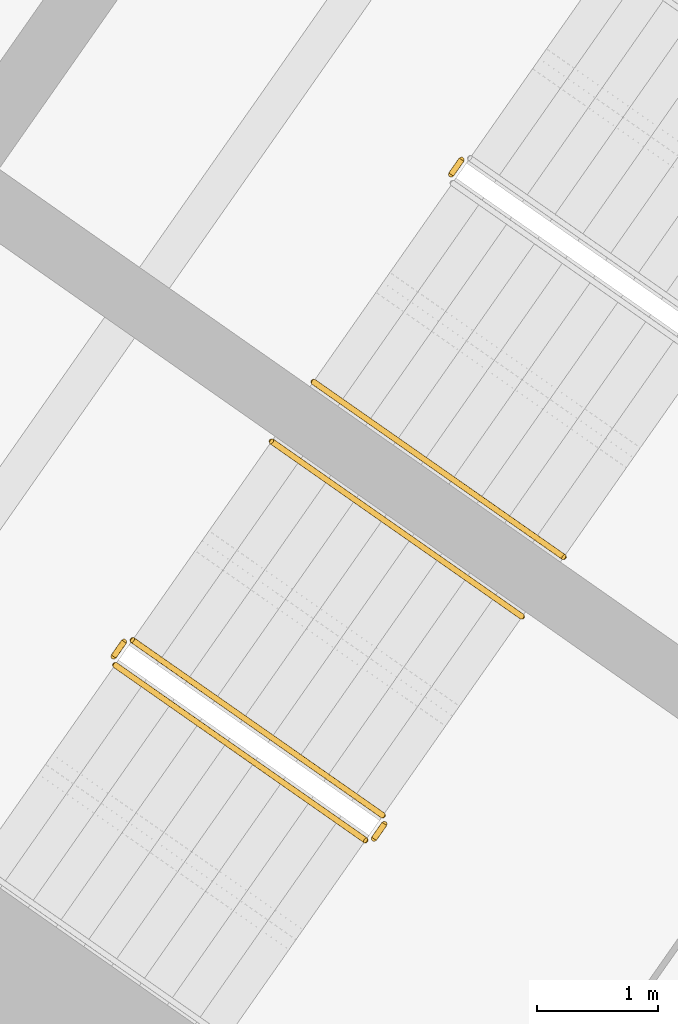
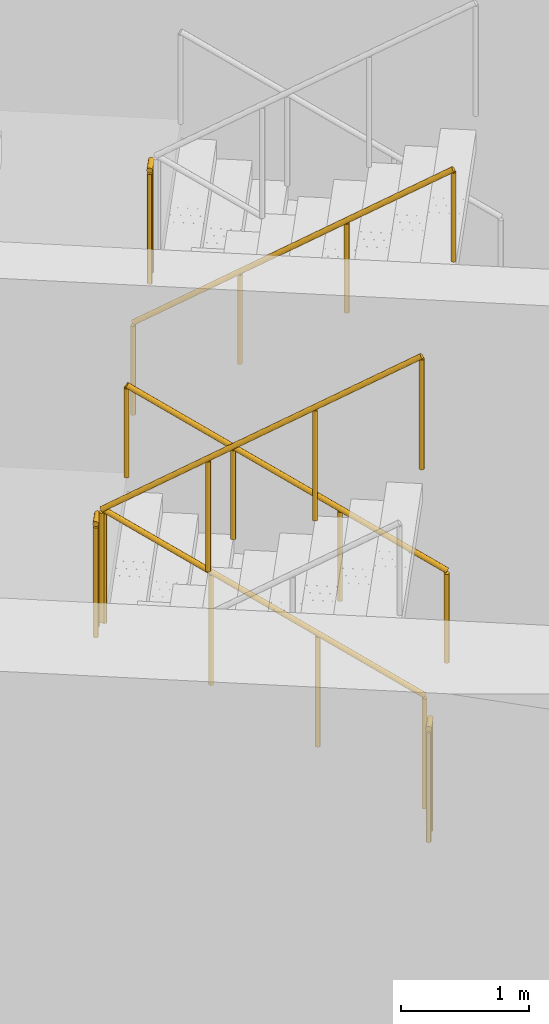
# One storey, part 22 of 25: 7 railings.
"""IFC4 building model written with IfcOpenShell, lengths in metres."""

from ifc_helpers import new_model, si_unit, direction, frame, origin, origin_2d, place, context, subcontext, project, spatial, circle, extrude, material, type_object, element, save


model = new_model("IFC4")

# Units and contexts
model_context = context("Model", 3, precision=1e-05, world=origin(), true_north=direction((0.0, 1.0)))
body_context = subcontext(model_context, "Body", "Model", "MODEL_VIEW")
ifc_project = project(units=[si_unit("LENGTHUNIT", "METRE"), si_unit("AREAUNIT", "SQUARE_METRE"), si_unit("VOLUMEUNIT", "CUBIC_METRE"), si_unit("PLANEANGLEUNIT", "RADIAN"), si_unit("MASSUNIT", "GRAM", prefix="KILO")], contexts=[model_context])

# Site, building, storey
site_placement = place(None, origin())
site = spatial("IfcSite", under=ifc_project, at=site_placement, CompositionType="ELEMENT")
building_placement = place(site_placement, origin())
building = spatial("IfcBuilding", under=site, at=building_placement, Name="Tel Ilan Convention Tower", CompositionType="ELEMENT")
storey_placement = place(building_placement, frame((0.0, 0.0, 97.699951171875)))
storey = spatial("IfcBuildingStorey", under=building, at=storey_placement, Name="L20", CompositionType="ELEMENT", Elevation=97.699951171875)

# Railings
ifc_material_1 = material(Name="Stainless Steel Grade 316", Category="steel")
railing_type_1 = type_object("IfcRailingType", Name="Stainless Steel Stair Guard 1100 mm", PredefinedType="GUARDRAIL", material=ifc_material_1)
railing_1_placement = place(storey_placement, frame((21.544921875, -6.41845703125, 1.800048828125)))
element("IfcRailing", 1, at=railing_1_placement, inside=storey, type_object=railing_type_1, Name="L20 S3 stair guard 2", PredefinedType="GUARDRAIL", context=body_context, shape_type="SweptSolid", body=[
    extrude(circle(Radius=0.02392578125, at=origin_2d()), frame((0.0, 0.0, 1.076171875), z_axis=(-0.573353020881, -0.819308436089, 0.0), x_axis=(0.819308436089, -0.573353020881, 0.0)), (0.0, 0.0, 1.0), 0.14990234375),
    extrude(circle(Radius=0.02099609375, at=origin_2d()), origin(), (0.0, 0.0, 1.0), 1.052001953125),
    extrude(circle(Radius=0.02099609375, at=origin_2d()), frame((-0.0859375, -0.122802734375, 0.0)), (0.0, 0.0, 1.0), 1.052001953125),
])
railing_2_placement = place(storey_placement, frame((20.89697265625, -11.824462890625, 0.179931640625)))
element("IfcRailing", 2, at=railing_2_placement, inside=storey, type_object=railing_type_1, Name="L20 S4 stair guard 1", PredefinedType="GUARDRAIL", context=body_context, shape_type="SweptSolid", body=[
    extrude(circle(Radius=0.02392578125, at=origin_2d()), frame((0.0, 0.0, 1.076171875), z_axis=(-0.689013013563, 0.482512838948, 0.540779462804), x_axis=(-0.573624882958, -0.819118119475, 0.0)), (0.0, 0.0, 1.0), 2.995849609375),
    extrude(circle(Radius=0.02099609375, at=origin_2d()), origin(), (0.0, 0.0, 1.0), 1.052001953125),
    extrude(circle(Radius=0.02099609375, at=origin_2d()), frame((-0.68798828125, 0.48193359375, 0.5400390625)), (0.0, 0.0, 1.0), 1.052001953125),
    extrude(circle(Radius=0.02099609375, at=origin_2d()), frame((-1.376220703125, 0.963623046875, 1.080078125)), (0.0, 0.0, 1.0), 1.052001953125),
    extrude(circle(Radius=0.02099609375, at=origin_2d()), frame((-2.064208984375, 1.445556640625, 1.6201171875)), (0.0, 0.0, 1.0), 1.052001953125),
])
railing_3_placement = place(storey_placement, frame((18.762939453125, -10.391357421875, 1.800048828125)))
element("IfcRailing", 3, at=railing_3_placement, inside=storey, type_object=railing_type_1, Name="L20 S4 stair guard 2", PredefinedType="GUARDRAIL", context=body_context, shape_type="SweptSolid", body=[
    extrude(circle(Radius=0.02392578125, at=origin_2d()), frame((0.0, 0.0, 1.076171875), z_axis=(-0.573353020881, -0.819308436089, 0.0), x_axis=(0.819308436089, -0.573353020881, 0.0)), (0.0, 0.0, 1.0), 0.14990234375),
    extrude(circle(Radius=0.02099609375, at=origin_2d()), origin(), (0.0, 0.0, 1.0), 1.052001953125),
    extrude(circle(Radius=0.02099609375, at=origin_2d()), frame((-0.0859375, -0.122802734375, 0.0)), (0.0, 0.0, 1.0), 1.052001953125),
])
railing_4_placement = place(storey_placement, frame((18.689208984375, -10.583740234375, 1.97998046875)))
element("IfcRailing", 4, at=railing_4_placement, inside=storey, type_object=railing_type_1, Name="L20 S4 stair guard 3", PredefinedType="GUARDRAIL", context=body_context, shape_type="SweptSolid", body=[
    extrude(circle(Radius=0.02392578125, at=origin_2d()), frame((0.0, 0.0, 1.076171875), z_axis=(0.689055814419, -0.482485747064, 0.540749099395), x_axis=(0.573579365141, 0.81914999352, 0.0)), (0.0, 0.0, 1.0), 2.99609375),
    extrude(circle(Radius=0.02099609375, at=origin_2d()), origin(), (0.0, 0.0, 1.0), 1.052001953125),
    extrude(circle(Radius=0.02099609375, at=origin_2d()), frame((0.688232421875, -0.48193359375, 0.5400390625)), (0.0, 0.0, 1.0), 1.052001953125),
    extrude(circle(Radius=0.02099609375, at=origin_2d()), frame((1.376220703125, -0.963623046875, 1.080078125)), (0.0, 0.0, 1.0), 1.052001953125),
    extrude(circle(Radius=0.02099609375, at=origin_2d()), frame((2.064453125, -1.445556640625, 1.6201171875)), (0.0, 0.0, 1.0), 1.052001953125),
])
railing_5_placement = place(storey_placement, frame((20.9091796875, -11.89404296875, 0.0)))
element("IfcRailing", 5, at=railing_5_placement, inside=storey, type_object=railing_type_1, Name="L20 S4 stair guard 4", PredefinedType="GUARDRAIL", context=body_context, shape_type="SweptSolid", body=[
    extrude(circle(Radius=0.02392578125, at=origin_2d()), frame((0.0, 0.0, 1.076171875), z_axis=(-0.573353020881, -0.819308436089, 0.0), x_axis=(0.819308436089, -0.573353020881, 0.0)), (0.0, 0.0, 1.0), 0.14990234375),
    extrude(circle(Radius=0.02099609375, at=origin_2d()), origin(), (0.0, 0.0, 1.0), 1.052001953125),
    extrude(circle(Radius=0.02099609375, at=origin_2d()), frame((-0.0859375, -0.122802734375, 0.0)), (0.0, 0.0, 1.0), 1.052001953125),
])
ifc_material_2 = material(Name="Stainless Steel Grade 316", Category="steel")
railing_type_2 = type_object("IfcRailingType", Name="Stainless Steel Stair Handrail 900 mm", PredefinedType="HANDRAIL", material=ifc_material_2)
railing_6_placement = place(storey_placement, frame((20.323974609375, -8.249267578125, 1.97998046875)))
element("IfcRailing", 6, at=railing_6_placement, inside=storey, type_object=railing_type_2, Name="L20 S3 stair handrail 2", PredefinedType="HANDRAIL", context=body_context, shape_type="SweptSolid", body=[
    extrude(circle(Radius=0.02392578125, at=origin_2d()), frame((0.0, 0.0, 0.8759765625), z_axis=(0.689040105437, -0.482450316285, 0.54080072616), x_axis=(0.573559875649, 0.819163639968, 0.0)), (0.0, 0.0, 1.0), 2.995849609375),
    extrude(circle(Radius=0.02099609375, at=origin_2d()), origin(), (0.0, 0.0, 1.0), 0.851806640625),
    extrude(circle(Radius=0.02099609375, at=origin_2d()), frame((0.68798828125, -0.481689453125, 0.5400390625)), (0.0, 0.0, 1.0), 0.851806640625),
    extrude(circle(Radius=0.02099609375, at=origin_2d()), frame((1.376220703125, -0.963623046875, 1.080078125)), (0.0, 0.0, 1.0), 0.851806640625),
    extrude(circle(Radius=0.02099609375, at=origin_2d()), frame((2.064208984375, -1.4453125, 1.6201171875)), (0.0, 0.0, 1.0), 0.851806640625),
])
railing_7_placement = place(storey_placement, frame((22.044189453125, -10.18603515625, 0.179931640625)))
element("IfcRailing", 7, at=railing_7_placement, inside=storey, type_object=railing_type_2, Name="L20 S4 stair handrail 1", PredefinedType="HANDRAIL", context=body_context, shape_type="SweptSolid", body=[
    extrude(circle(Radius=0.02392578125, at=origin_2d()), frame((0.0, 0.0, 0.8759765625), z_axis=(-0.689082904933, 0.482423225781, 0.540770359169), x_axis=(-0.573514357932, -0.81919550856, 0.0)), (0.0, 0.0, 1.0), 2.995849609375),
    extrude(circle(Radius=0.02099609375, at=origin_2d()), origin(), (0.0, 0.0, 1.0), 0.851806640625),
    extrude(circle(Radius=0.02099609375, at=origin_2d()), frame((-0.688232421875, 0.481689453125, 0.5400390625)), (0.0, 0.0, 1.0), 0.851806640625),
    extrude(circle(Radius=0.02099609375, at=origin_2d()), frame((-1.376220703125, 0.963623046875, 1.080078125)), (0.0, 0.0, 1.0), 0.851806640625),
    extrude(circle(Radius=0.02099609375, at=origin_2d()), frame((-2.064453125, 1.4453125, 1.6201171875)), (0.0, 0.0, 1.0), 0.851806640625),
])

save(model, "model.ifc")
